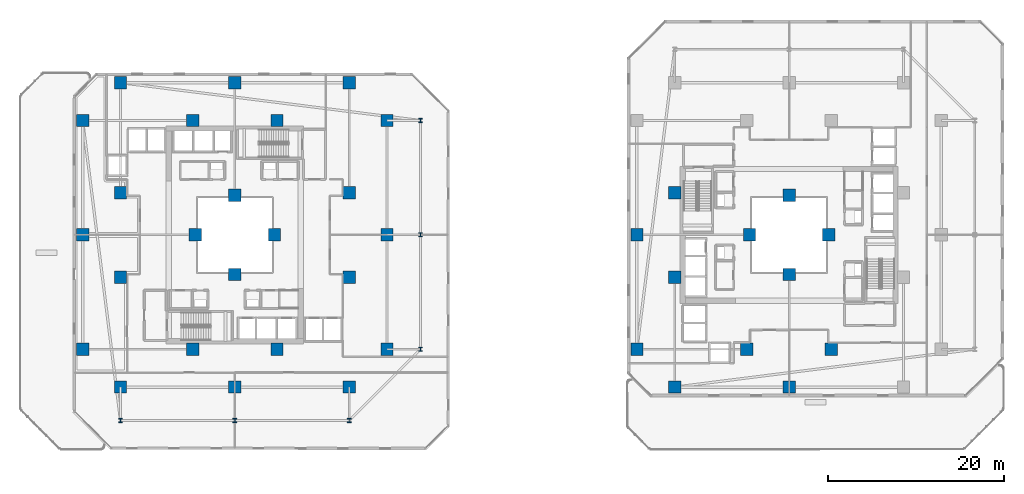
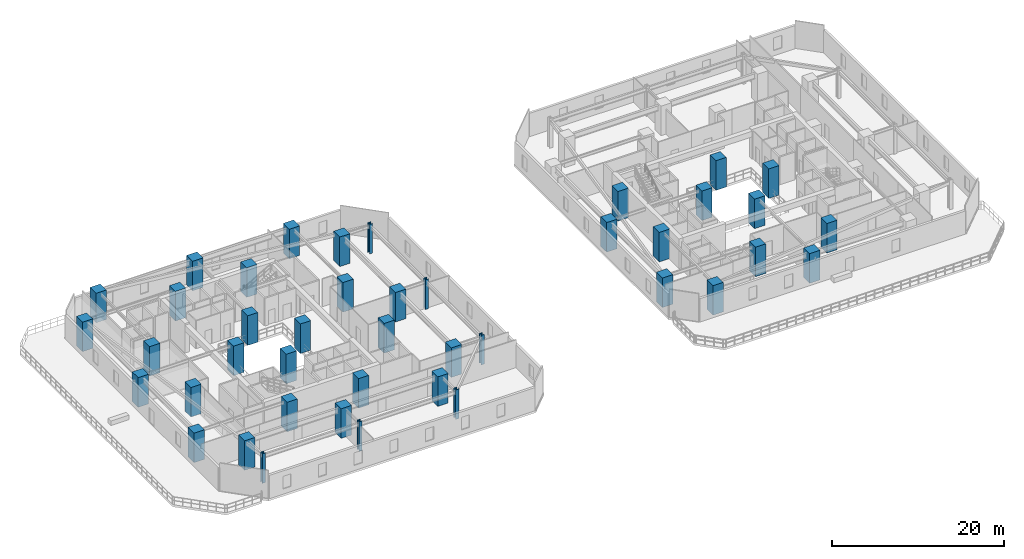
# One storey, part 1 of 33: 42 columns.
"""IFC4 building model written with IfcOpenShell, lengths in metres."""

from ifc_helpers import new_model, si_unit, direction, frame, origin, origin_2d, place, context, subcontext, project, spatial, rectangle, i_section, extrude, material, material_profile, profile_set, type_object, element, save


model = new_model("IFC4")

# Units and contexts
model_context = context("Model", 3, precision=1e-05, world=origin(), true_north=direction((0.0, 1.0)))
body_context = subcontext(model_context, "Body", "Model", "MODEL_VIEW")
ifc_project = project(units=[si_unit("LENGTHUNIT", "METRE"), si_unit("AREAUNIT", "SQUARE_METRE"), si_unit("VOLUMEUNIT", "CUBIC_METRE"), si_unit("PLANEANGLEUNIT", "RADIAN"), si_unit("MASSUNIT", "GRAM", prefix="KILO")], contexts=[model_context])

# Site, building, storey
site_placement = place(None, origin())
site = spatial("IfcSite", under=ifc_project, at=site_placement, CompositionType="ELEMENT")
building_placement = place(site_placement, origin())
building = spatial("IfcBuilding", under=site, at=building_placement, Name="Thornwick Lancets Civic Towers", CompositionType="ELEMENT")
storey_placement = place(building_placement, frame((0.0, 0.0, 49.5)))
storey = spatial("IfcBuildingStorey", under=building, at=storey_placement, Name="L12", CompositionType="ELEMENT", Elevation=49.5)

# Columns
ifc_material_1 = material(Name="Concrete C60/75", Category="concrete")
ifc_material_profile_1 = material_profile(ifc_material_1, rectangle(XDim=1.39990234375, YDim=1.39990234375, at=origin_2d()), Name="RC 1400x1400")
ifc_profile_set_1 = profile_set([ifc_material_profile_1], Name="Concrete C60/75")
column_type_1 = type_object("IfcColumnType", Name="COL_RC_1400", PredefinedType="COLUMN", material=ifc_profile_set_1)
for number, where, z_axis, x_axis, name in (
    (1, (12.5, 9.699951171875, 0.0), (0.0, 0.0, 1.0), (1.0, 0.0, 0.0), "L12 Spine Mega-Column A01"),
    (2, (25.5, 9.699951171875, 0.0), (0.0, 0.0, 1.0), (1.0, 0.0, 0.0), "L12 Spine Mega-Column A02"),
    (3, (38.5, 9.699951171875, 0.0), (0.0, 0.0, 1.0), (1.0, 0.0, 0.0), "L12 Spine Mega-Column A03"),
    (4, (42.800048828125, 14.0, 0.0), (0.0, 0.0, 1.0), (1.0, 0.0, 0.0), "L12 Spine Mega-Column A04"),
    (5, (42.800048828125, 27.0, 0.0), (0.0, 0.0, 1.0), (1.0, 0.0, 0.0), "L12 Spine Mega-Column A05"),
    (6, (42.800048828125, 40.0, 0.0), (0.0, 0.0, 1.0), (1.0, 0.0, 0.0), "L12 Spine Mega-Column A06"),
    (7, (12.5, 44.300048828125, 0.0), (0.0, 0.0, 1.0), (1.0, 0.0, 0.0), "L12 Spine Mega-Column A07"),
    (8, (25.5, 44.300048828125, 0.0), (0.0, 0.0, 1.0), (1.0, 0.0, 0.0), "L12 Spine Mega-Column A08"),
    (9, (38.5, 44.300048828125, 0.0), (0.0, 0.0, 1.0), (1.0, 0.0, 0.0), "L12 Spine Mega-Column A09"),
    (10, (8.199951171875, 14.0, 0.0), (0.0, 0.0, 1.0), (1.0, 0.0, 0.0), "L12 Spine Mega-Column A10"),
    (11, (8.199951171875, 27.0, 0.0), (0.0, 0.0, 1.0), (1.0, 0.0, 0.0), "L12 Spine Mega-Column A11"),
    (12, (8.199951171875, 40.0, 0.0), (0.0, 0.0, 1.0), (1.0, 0.0, 0.0), "L12 Spine Mega-Column A12"),
    (13, (12.5, 22.199951171875, 0.0), (0.0, 0.0, 1.0), (1.0, 0.0, 0.0), "L12 Spine Mega-Column A13"),
    (14, (38.5, 22.199951171875, 0.0), (0.0, 0.0, 1.0), (1.0, 0.0, 0.0), "L12 Spine Mega-Column A14"),
    (15, (12.5, 31.800048828125, 0.0), (0.0, 0.0, 1.0), (1.0, 0.0, 0.0), "L12 Spine Mega-Column A15"),
    (16, (38.5, 31.800048828125, 0.0), (0.0, 0.0, 1.0), (1.0, 0.0, 0.0), "L12 Spine Mega-Column A16"),
    (17, (20.699951171875, 14.0, 0.0), (0.0, 0.0, 1.0), (1.0, 0.0, 0.0), "L12 Spine Mega-Column A17"),
    (18, (30.300048828125, 14.0, 0.0), (0.0, 0.0, 1.0), (1.0, 0.0, 0.0), "L12 Spine Mega-Column A18"),
    (19, (20.699951171875, 40.0, 0.0), (0.0, 0.0, 1.0), (1.0, 0.0, 0.0), "L12 Spine Mega-Column A19"),
    (20, (30.300048828125, 40.0, 0.0), (0.0, 0.0, 1.0), (1.0, 0.0, 0.0), "L12 Spine Mega-Column A20"),
    (21, (25.5, 22.5, 0.0), (0.0, 0.0, 1.0), (1.0, 0.0, 0.0), "L12 Spine Mega-Column A21"),
    (22, (25.5, 31.5, 0.0), (0.0, 0.0, 1.0), (1.0, 0.0, 0.0), "L12 Spine Mega-Column A22"),
    (23, (21.0, 27.0, 0.0), (0.0, 0.0, 1.0), (1.0, 0.0, 0.0), "L12 Spine Mega-Column A23"),
    (24, (30.0, 27.0, 0.0), (0.0, 0.0, 1.0), (1.0, 0.0, 0.0), "L12 Spine Mega-Column A24"),
    (25, (71.199951171875, 14.0, 0.0), (0.0, 0.0, 1.0), (1.0, 0.0, 0.0), "L12 Spine Mega-Column B07"),
    (26, (71.199951171875, 27.0, 0.0), (0.0, 0.0, 1.0), (1.0, 0.0, 0.0), "L12 Spine Mega-Column B08"),
    (27, (88.5, 9.699951171875, 0.0), (0.0, 0.0, 1.0), (1.0, 0.0, 0.0), "L12 Spine Mega-Column B11"),
    (28, (75.5, 9.699951171875, 0.0), (0.0, 0.0, 1.0), (1.0, 0.0, 0.0), "L12 Spine Mega-Column B12"),
    (29, (93.300048828125, 14.0, 0.0), (0.0, 0.0, 1.0), (1.0, 0.0, 0.0), "L12 Spine Mega-Column B13"),
    (30, (83.699951171875, 14.0, 0.0), (0.0, 0.0, 1.0), (1.0, 0.0, 0.0), "L12 Spine Mega-Column B15"),
    (31, (75.5, 22.199951171875, 0.0), (0.0, 0.0, 1.0), (1.0, 0.0, 0.0), "L12 Spine Mega-Column B19"),
    (32, (75.5, 31.800048828125, 0.0), (0.0, 0.0, 1.0), (1.0, 0.0, 0.0), "L12 Spine Mega-Column B20"),
    (33, (93.0, 27.0, 0.0), (0.0, 0.0, 1.0), (1.0, 0.0, 0.0), "L12 Spine Mega-Column B21"),
    (34, (84.0, 27.0, 0.0), (0.0, 0.0, 1.0), (1.0, 0.0, 0.0), "L12 Spine Mega-Column B22"),
    (35, (88.5, 22.5, 0.0), (0.0, 0.0, 1.0), (1.0, 0.0, 0.0), "L12 Spine Mega-Column B23"),
    (36, (88.5, 31.5, 0.0), (0.0, 0.0, 1.0), (1.0, 0.0, 0.0), "L12 Spine Mega-Column B24"),
):
    element("IfcColumn", number, at=place(storey_placement, frame(where, z_axis=z_axis, x_axis=x_axis)), inside=storey, type_object=column_type_1, Name=name, PredefinedType="COLUMN", context=body_context, shape_type="SweptSolid", body=[
        extrude(rectangle(XDim=1.39990234375, YDim=1.39990234375, at=origin_2d()), origin(), (0.0, 0.0, 1.0), 4.199951171875),
    ])
ifc_material_2 = material(Name="Steel S460M", Category="steel")
ifc_material_profile_2 = material_profile(ifc_material_2, i_section(OverallWidth=0.424072265625, OverallDepth=0.474609375, WebThickness=0.047607421875, FlangeThickness=0.076904296875, FilletRadius=0.01513671875, at=origin_2d()), Name="UKC 356x406x634")
ifc_profile_set_2 = profile_set([ifc_material_profile_2], Name="Steel S460M")
column_type_2 = type_object("IfcColumnType", Name="COL_UKC_634", PredefinedType="COLUMN", material=ifc_profile_set_2)
for number, where, z_axis, x_axis, name in (
    (37, (12.5, 5.89990234375, 0.0), (0.0, 0.0, 1.0), (1.0, 0.0, 0.0), "L12 Block Perimeter Column A01"),
    (38, (25.5, 5.89990234375, 0.0), (0.0, 0.0, 1.0), (1.0, 0.0, 0.0), "L12 Block Perimeter Column A02"),
    (39, (38.5, 5.89990234375, 0.0), (0.0, 0.0, 1.0), (1.0, 0.0, 0.0), "L12 Block Perimeter Column A03"),
    (40, (46.60009765625, 14.0, 0.0), (0.0, 0.0, 1.0), (1.0, 0.0, 0.0), "L12 Block Perimeter Column A04"),
    (41, (46.60009765625, 27.0, 0.0), (0.0, 0.0, 1.0), (1.0, 0.0, 0.0), "L12 Block Perimeter Column A05"),
    (42, (46.60009765625, 40.0, 0.0), (0.0, 0.0, 1.0), (1.0, 0.0, 0.0), "L12 Block Perimeter Column A06"),
):
    element("IfcColumn", number, at=place(storey_placement, frame(where, z_axis=z_axis, x_axis=x_axis)), inside=storey, type_object=column_type_2, Name=name, PredefinedType="COLUMN", context=body_context, shape_type="SweptSolid", body=[
        extrude(i_section(OverallWidth=0.424072265625, OverallDepth=0.474609375, WebThickness=0.047607421875, FlangeThickness=0.076904296875, FilletRadius=0.01513671875, at=origin_2d()), origin(), (0.0, 0.0, 1.0), 4.199951171875),
    ])

save(model, "model.ifc")
